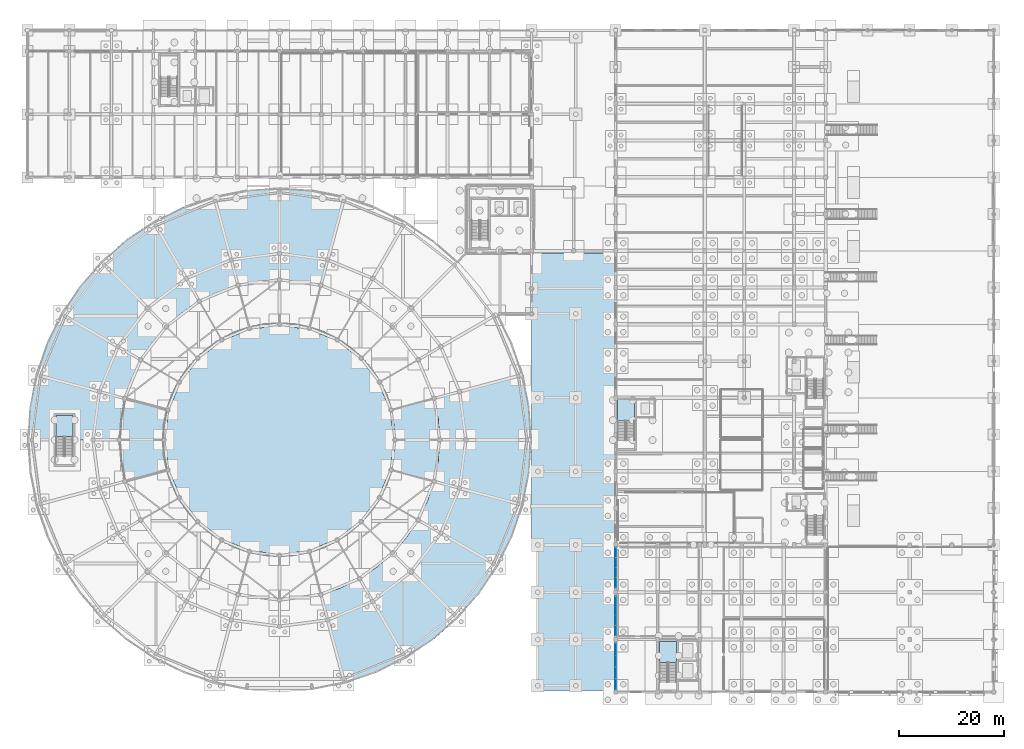
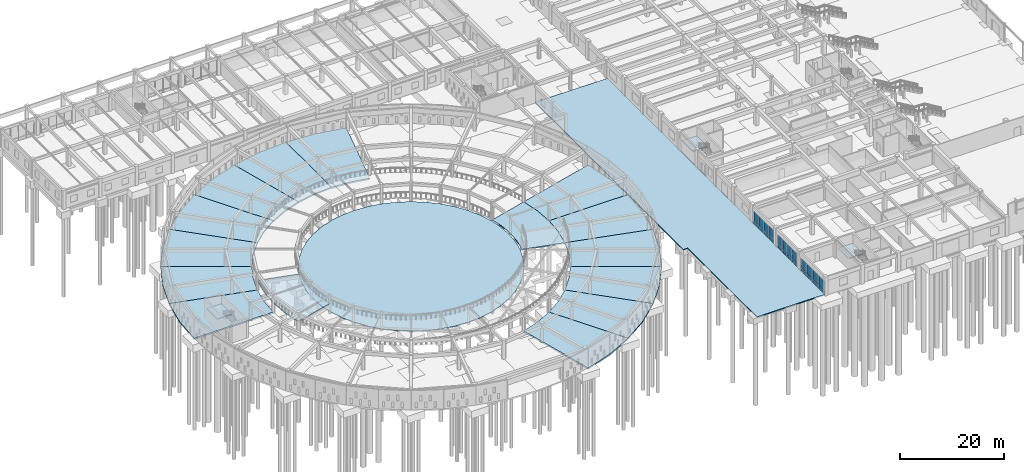
# One storey, part 37 of 84: 24 plates, 20 slabs, 6 elements without a shape of their own.
"""IFC4 building model written with IfcOpenShell, lengths in metres."""

from ifc_helpers import new_model, si_unit, direction, frame, origin, origin_2d, place, context, subcontext, project, spatial, polyline, rectangle, outline, extrude, material, layer, layer_set, type_object, element, aggregate, save


model = new_model("IFC4")

# Units and contexts
model_context = context("Model", 3, precision=1e-05, world=origin(), true_north=direction((0.0, 1.0)))
body_context = subcontext(model_context, "Body", "Model", "MODEL_VIEW")
ifc_project = project(units=[si_unit("LENGTHUNIT", "METRE"), si_unit("AREAUNIT", "SQUARE_METRE"), si_unit("VOLUMEUNIT", "CUBIC_METRE"), si_unit("PLANEANGLEUNIT", "RADIAN"), si_unit("MASSUNIT", "GRAM", prefix="KILO")], contexts=[model_context])

# Site, building, storey
site_placement = place(None, origin())
site = spatial("IfcSite", under=ifc_project, at=site_placement, CompositionType="ELEMENT")
building_placement = place(site_placement, origin())
building = spatial("IfcBuilding", under=site, at=building_placement, Name="Larkveld Mobility Hub", CompositionType="ELEMENT")
storey_placement = place(building_placement, origin())
storey = spatial("IfcBuildingStorey", under=building, at=storey_placement, Name="L00", CompositionType="ELEMENT", Elevation=0.0)

# Curtain wall, plates
ifc_material_1 = material(Name="Anodised aluminium 6063-T6", Category="aluminium")
curtain_wall_type_1 = type_object("IfcCurtainWallType", Name="CW-SYS-07", PredefinedType="NOTDEFINED", material=ifc_material_1)
curtain_wall_1_placement = place(storey_placement, origin())
curtain_wall_1 = element("IfcCurtainWall", 1, at=curtain_wall_1_placement, inside=storey, type_object=curtain_wall_type_1, Name="Public Passage East Service Facade L00 CW-091", PredefinedType="NOTDEFINED")
ifc_material_2 = material(Name="Low-E laminated solar-control double glazing", Category="glass")
ifc_layer_1 = layer(ifc_material_2, 0.028076171875, Name="Low-E laminated solar-control double glazing", Category="glass")
ifc_layer_set_1 = layer_set([ifc_layer_1], Name="Low-E laminated solar-control double glazing")
plate_type_1 = type_object("IfcPlateType", Name="CW-PNL-GL01", PredefinedType="CURTAIN_PANEL", material=ifc_layer_set_1)
plate_1_placement = place(storey_placement, frame((112.0, 26.56201171875, 0.75), z_axis=(0.0, 0.0, 1.0), x_axis=(0.0, -1.0, 0.0)))
plate_1 = element("IfcPlate", 2, at=plate_1_placement, type_object=plate_type_1, Name="CW07 panel 1", PredefinedType="CURTAIN_PANEL", context=body_context, shape_type="SweptSolid", body=[
    extrude(rectangle(XDim=1.905029296875, YDim=0.028076171875, at=origin_2d()), origin(), (0.0, 0.0, 1.0), 2.327880859375),
])
plate_2_placement = place(storey_placement, frame((112.0, 24.636962890625, 0.75), z_axis=(0.0, 0.0, 1.0), x_axis=(0.0, -1.0, 0.0)))
plate_2 = element("IfcPlate", 3, at=plate_2_placement, type_object=plate_type_1, Name="CW07 panel 2", PredefinedType="CURTAIN_PANEL", context=body_context, shape_type="SweptSolid", body=[
    extrude(rectangle(XDim=1.925048828125, YDim=0.028076171875, at=origin_2d()), origin(), (0.0, 0.0, 1.0), 2.327880859375),
])
plate_3_placement = place(storey_placement, frame((112.0, 22.702880859375, 0.75), z_axis=(0.0, 0.0, 1.0), x_axis=(0.0, -1.0, 0.0)))
plate_3 = element("IfcPlate", 4, at=plate_3_placement, type_object=plate_type_1, Name="CW07 panel 3", PredefinedType="CURTAIN_PANEL", context=body_context, shape_type="SweptSolid", body=[
    extrude(rectangle(XDim=1.925048828125, YDim=0.028076171875, at=origin_2d()), origin(), (0.0, 0.0, 1.0), 2.327880859375),
])
plate_4_placement = place(storey_placement, frame((112.0, 20.777099609375, 0.75), z_axis=(0.0, 0.0, 1.0), x_axis=(0.0, -1.0, 0.0)))
plate_4 = element("IfcPlate", 5, at=plate_4_placement, type_object=plate_type_1, Name="CW07 panel 4", PredefinedType="CURTAIN_PANEL", context=body_context, shape_type="SweptSolid", body=[
    extrude(rectangle(XDim=1.905029296875, YDim=0.028076171875, at=origin_2d()), origin(), (0.0, 0.0, 1.0), 2.327880859375),
])

curtain_wall_type_2 = type_object("IfcCurtainWallType", Name="CW-SYS-08", PredefinedType="NOTDEFINED", material=ifc_material_1)
curtain_wall_2_placement = place(storey_placement, origin())
curtain_wall_2 = element("IfcCurtainWall", 6, at=curtain_wall_2_placement, inside=storey, type_object=curtain_wall_type_2, Name="Public Passage East Service Facade L00 CW-092", PredefinedType="NOTDEFINED")
ifc_material_3 = material(Name="Acoustic solar-control laminated double glazing", Category="glass")
ifc_layer_2 = layer(ifc_material_3, 0.031982421875, Name="Acoustic solar-control laminated double glazing", Category="glass")
ifc_layer_set_2 = layer_set([ifc_layer_2], Name="Acoustic solar-control laminated double glazing")
plate_type_2 = type_object("IfcPlateType", Name="CW-PNL-GL02", PredefinedType="CURTAIN_PANEL", material=ifc_layer_set_2)
plate_5_placement = place(storey_placement, frame((112.0, 17.264892578125, 0.75), z_axis=(0.0, 0.0, 1.0), x_axis=(0.0, -1.0, 0.0)))
plate_5 = element("IfcPlate", 7, at=plate_5_placement, type_object=plate_type_2, Name="CW08 panel 1", PredefinedType="CURTAIN_PANEL", context=body_context, shape_type="SweptSolid", body=[
    extrude(rectangle(XDim=1.820068359375, YDim=0.031982421875, at=origin_2d()), origin(), (0.0, 0.0, 1.0), 2.327880859375),
])
plate_6_placement = place(storey_placement, frame((112.0, 15.425048828125, 0.75), z_axis=(0.0, 0.0, 1.0), x_axis=(0.0, -1.0, 0.0)))
plate_6 = element("IfcPlate", 8, at=plate_6_placement, type_object=plate_type_2, Name="CW08 panel 2", PredefinedType="CURTAIN_PANEL", context=body_context, shape_type="SweptSolid", body=[
    extrude(rectangle(XDim=1.840087890625, YDim=0.031982421875, at=origin_2d()), origin(), (0.0, 0.0, 1.0), 2.327880859375),
])
plate_7_placement = place(storey_placement, frame((112.0, 13.574951171875, 0.75), z_axis=(0.0, 0.0, 1.0), x_axis=(0.0, -1.0, 0.0)))
plate_7 = element("IfcPlate", 9, at=plate_7_placement, type_object=plate_type_2, Name="CW08 panel 3", PredefinedType="CURTAIN_PANEL", context=body_context, shape_type="SweptSolid", body=[
    extrude(rectangle(XDim=1.840087890625, YDim=0.031982421875, at=origin_2d()), origin(), (0.0, 0.0, 1.0), 2.327880859375),
])
plate_8_placement = place(storey_placement, frame((112.0, 11.735107421875, 0.75), z_axis=(0.0, 0.0, 1.0), x_axis=(0.0, -1.0, 0.0)))
plate_8 = element("IfcPlate", 10, at=plate_8_placement, type_object=plate_type_2, Name="CW08 panel 4", PredefinedType="CURTAIN_PANEL", context=body_context, shape_type="SweptSolid", body=[
    extrude(rectangle(XDim=1.820068359375, YDim=0.031982421875, at=origin_2d()), origin(), (0.0, 0.0, 1.0), 2.327880859375),
])

curtain_wall_type_3 = type_object("IfcCurtainWallType", Name="CW-SYS-09", PredefinedType="NOTDEFINED", material=ifc_material_1)
curtain_wall_3_placement = place(storey_placement, origin())
curtain_wall_3 = element("IfcCurtainWall", 11, at=curtain_wall_3_placement, inside=storey, type_object=curtain_wall_type_3, Name="Public Passage East Service Facade L00 CW-093", PredefinedType="NOTDEFINED")
ifc_material_4 = material(Name="Tinted safety double glazing", Category="glass")
ifc_layer_3 = layer(ifc_material_4, 0.035888671875, Name="Tinted safety double glazing", Category="glass")
ifc_layer_set_3 = layer_set([ifc_layer_3], Name="Tinted safety double glazing")
plate_type_3 = type_object("IfcPlateType", Name="CW-PNL-GL03", PredefinedType="CURTAIN_PANEL", material=ifc_layer_set_3)
plate_9_placement = place(storey_placement, frame((112.0, 8.0849609375, 0.75), z_axis=(0.0, 0.0, 1.0), x_axis=(0.0, -1.0, 0.0)))
plate_9 = element("IfcPlate", 12, at=plate_9_placement, type_object=plate_type_3, Name="CW09 panel 1", PredefinedType="CURTAIN_PANEL", context=body_context, shape_type="SweptSolid", body=[
    extrude(rectangle(XDim=2.179931640625, YDim=0.035888671875, at=origin_2d()), origin(), (0.0, 0.0, 1.0), 2.327880859375),
])
plate_10_placement = place(storey_placement, frame((112.0, 5.885009765625, 0.75), z_axis=(0.0, 0.0, 1.0), x_axis=(0.0, -1.0, 0.0)))
plate_10 = element("IfcPlate", 13, at=plate_10_placement, type_object=plate_type_3, Name="CW09 panel 2", PredefinedType="CURTAIN_PANEL", context=body_context, shape_type="SweptSolid", body=[
    extrude(rectangle(XDim=2.199951171875, YDim=0.035888671875, at=origin_2d()), origin(), (0.0, 0.0, 1.0), 2.327880859375),
])
plate_11_placement = place(storey_placement, frame((112.0, 3.675048828125, 0.75), z_axis=(0.0, 0.0, 1.0), x_axis=(0.0, -1.0, 0.0)))
plate_11 = element("IfcPlate", 14, at=plate_11_placement, type_object=plate_type_3, Name="CW09 panel 3", PredefinedType="CURTAIN_PANEL", context=body_context, shape_type="SweptSolid", body=[
    extrude(rectangle(XDim=2.199951171875, YDim=0.035888671875, at=origin_2d()), origin(), (0.0, 0.0, 1.0), 2.327880859375),
])
plate_12_placement = place(storey_placement, frame((112.0, 1.47509765625, 0.75), z_axis=(0.0, 0.0, 1.0), x_axis=(0.0, -1.0, 0.0)))
plate_12 = element("IfcPlate", 15, at=plate_12_placement, type_object=plate_type_3, Name="CW09 panel 4", PredefinedType="CURTAIN_PANEL", context=body_context, shape_type="SweptSolid", body=[
    extrude(rectangle(XDim=2.179931640625, YDim=0.035888671875, at=origin_2d()), origin(), (0.0, 0.0, 1.0), 2.327880859375),
])

# Plate
ifc_material_5 = material(Name="Insulated fluoropolymer aluminium spandrel", Category="aluminium")
ifc_layer_4 = layer(ifc_material_5, 0.06494140625, Name="Insulated fluoropolymer aluminium spandrel", Category="aluminium")
ifc_layer_set_4 = layer_set([ifc_layer_4], Name="Insulated fluoropolymer aluminium spandrel")
plate_type_4 = type_object("IfcPlateType", Name="CW-PNL-SP01", PredefinedType="CURTAIN_PANEL", material=ifc_layer_set_4)
plate_13_placement = place(storey_placement, frame((112.0, 26.56201171875, 0.0), z_axis=(0.0, 0.0, 1.0), x_axis=(0.0, -1.0, 0.0)))
plate_13 = element("IfcPlate", 16, at=plate_13_placement, type_object=plate_type_4, Name="CW07 spandrel 1", PredefinedType="CURTAIN_PANEL", context=body_context, shape_type="SweptSolid", body=[
    extrude(rectangle(XDim=1.905029296875, YDim=0.06494140625, at=origin_2d()), origin(), (0.0, 0.0, 1.0), 0.738037109375),
])

plate_14_placement = place(storey_placement, frame((112.0, 24.636962890625, 0.0), z_axis=(0.0, 0.0, 1.0), x_axis=(0.0, -1.0, 0.0)))
plate_14 = element("IfcPlate", 17, at=plate_14_placement, type_object=plate_type_4, Name="CW07 spandrel 2", PredefinedType="CURTAIN_PANEL", context=body_context, shape_type="SweptSolid", body=[
    extrude(rectangle(XDim=1.925048828125, YDim=0.06494140625, at=origin_2d()), origin(), (0.0, 0.0, 1.0), 0.738037109375),
])

plate_15_placement = place(storey_placement, frame((112.0, 22.702880859375, 0.0), z_axis=(0.0, 0.0, 1.0), x_axis=(0.0, -1.0, 0.0)))
plate_15 = element("IfcPlate", 18, at=plate_15_placement, type_object=plate_type_4, Name="CW07 spandrel 3", PredefinedType="CURTAIN_PANEL", context=body_context, shape_type="SweptSolid", body=[
    extrude(rectangle(XDim=1.925048828125, YDim=0.06494140625, at=origin_2d()), origin(), (0.0, 0.0, 1.0), 0.738037109375),
])

plate_16_placement = place(storey_placement, frame((112.0, 20.777099609375, 0.0), z_axis=(0.0, 0.0, 1.0), x_axis=(0.0, -1.0, 0.0)))
plate_16 = element("IfcPlate", 19, at=plate_16_placement, type_object=plate_type_4, Name="CW07 spandrel 4", PredefinedType="CURTAIN_PANEL", context=body_context, shape_type="SweptSolid", body=[
    extrude(rectangle(XDim=1.905029296875, YDim=0.06494140625, at=origin_2d()), origin(), (0.0, 0.0, 1.0), 0.738037109375),
])

aggregate(curtain_wall_1, [plate_13, plate_1, plate_14, plate_2, plate_15, plate_3, plate_16, plate_4])

plate_17_placement = place(storey_placement, frame((112.0, 8.0849609375, 0.0), z_axis=(0.0, 0.0, 1.0), x_axis=(0.0, -1.0, 0.0)))
plate_17 = element("IfcPlate", 20, at=plate_17_placement, type_object=plate_type_4, Name="CW09 spandrel 1", PredefinedType="CURTAIN_PANEL", context=body_context, shape_type="SweptSolid", body=[
    extrude(rectangle(XDim=2.179931640625, YDim=0.06494140625, at=origin_2d()), origin(), (0.0, 0.0, 1.0), 0.738037109375),
])

plate_18_placement = place(storey_placement, frame((112.0, 5.885009765625, 0.0), z_axis=(0.0, 0.0, 1.0), x_axis=(0.0, -1.0, 0.0)))
plate_18 = element("IfcPlate", 21, at=plate_18_placement, type_object=plate_type_4, Name="CW09 spandrel 2", PredefinedType="CURTAIN_PANEL", context=body_context, shape_type="SweptSolid", body=[
    extrude(rectangle(XDim=2.199951171875, YDim=0.06494140625, at=origin_2d()), origin(), (0.0, 0.0, 1.0), 0.738037109375),
])

plate_19_placement = place(storey_placement, frame((112.0, 3.675048828125, 0.0), z_axis=(0.0, 0.0, 1.0), x_axis=(0.0, -1.0, 0.0)))
plate_19 = element("IfcPlate", 22, at=plate_19_placement, type_object=plate_type_4, Name="CW09 spandrel 3", PredefinedType="CURTAIN_PANEL", context=body_context, shape_type="SweptSolid", body=[
    extrude(rectangle(XDim=2.199951171875, YDim=0.06494140625, at=origin_2d()), origin(), (0.0, 0.0, 1.0), 0.738037109375),
])

plate_20_placement = place(storey_placement, frame((112.0, 1.47509765625, 0.0), z_axis=(0.0, 0.0, 1.0), x_axis=(0.0, -1.0, 0.0)))
plate_20 = element("IfcPlate", 23, at=plate_20_placement, type_object=plate_type_4, Name="CW09 spandrel 4", PredefinedType="CURTAIN_PANEL", context=body_context, shape_type="SweptSolid", body=[
    extrude(rectangle(XDim=2.179931640625, YDim=0.06494140625, at=origin_2d()), origin(), (0.0, 0.0, 1.0), 0.738037109375),
])

aggregate(curtain_wall_3, [plate_17, plate_9, plate_18, plate_10, plate_19, plate_11, plate_20, plate_12])

ifc_material_6 = material(Name="Insulated terracotta-toned aluminium spandrel", Category="masonry")
ifc_layer_5 = layer(ifc_material_6, 0.080078125, Name="Insulated terracotta-toned aluminium spandrel", Category="masonry")
ifc_layer_set_5 = layer_set([ifc_layer_5], Name="Insulated terracotta-toned aluminium spandrel")
plate_type_5 = type_object("IfcPlateType", Name="CW-PNL-SP02", PredefinedType="CURTAIN_PANEL", material=ifc_layer_set_5)
plate_21_placement = place(storey_placement, frame((112.0, 17.264892578125, 0.0), z_axis=(0.0, 0.0, 1.0), x_axis=(0.0, -1.0, 0.0)))
plate_21 = element("IfcPlate", 24, at=plate_21_placement, type_object=plate_type_5, Name="CW08 spandrel 1", PredefinedType="CURTAIN_PANEL", context=body_context, shape_type="SweptSolid", body=[
    extrude(rectangle(XDim=1.820068359375, YDim=0.080078125, at=origin_2d()), origin(), (0.0, 0.0, 1.0), 0.738037109375),
])

plate_22_placement = place(storey_placement, frame((112.0, 15.425048828125, 0.0), z_axis=(0.0, 0.0, 1.0), x_axis=(0.0, -1.0, 0.0)))
plate_22 = element("IfcPlate", 25, at=plate_22_placement, type_object=plate_type_5, Name="CW08 spandrel 2", PredefinedType="CURTAIN_PANEL", context=body_context, shape_type="SweptSolid", body=[
    extrude(rectangle(XDim=1.840087890625, YDim=0.080078125, at=origin_2d()), origin(), (0.0, 0.0, 1.0), 0.738037109375),
])

plate_23_placement = place(storey_placement, frame((112.0, 13.574951171875, 0.0), z_axis=(0.0, 0.0, 1.0), x_axis=(0.0, -1.0, 0.0)))
plate_23 = element("IfcPlate", 26, at=plate_23_placement, type_object=plate_type_5, Name="CW08 spandrel 3", PredefinedType="CURTAIN_PANEL", context=body_context, shape_type="SweptSolid", body=[
    extrude(rectangle(XDim=1.840087890625, YDim=0.080078125, at=origin_2d()), origin(), (0.0, 0.0, 1.0), 0.738037109375),
])

plate_24_placement = place(storey_placement, frame((112.0, 11.735107421875, 0.0), z_axis=(0.0, 0.0, 1.0), x_axis=(0.0, -1.0, 0.0)))
plate_24 = element("IfcPlate", 27, at=plate_24_placement, type_object=plate_type_5, Name="CW08 spandrel 4", PredefinedType="CURTAIN_PANEL", context=body_context, shape_type="SweptSolid", body=[
    extrude(rectangle(XDim=1.820068359375, YDim=0.080078125, at=origin_2d()), origin(), (0.0, 0.0, 1.0), 0.738037109375),
])

aggregate(curtain_wall_2, [plate_21, plate_5, plate_22, plate_6, plate_23, plate_7, plate_24, plate_8])

# Slabs
ifc_material_7 = material(Name="Concrete C40/50", Category="concrete")
ifc_layer_6 = layer(ifc_material_7, 0.27490234375, Name="Concrete C40/50", Category="concrete")
ifc_layer_set_6 = layer_set([ifc_layer_6], Name="Concrete C40/50")
slab_type_1 = type_object("IfcSlabType", Name="SL-BS-275", PredefinedType="BASESLAB", material=ifc_layer_set_6)
slab_1_placement = place(storey_placement, frame((0.0, 0.0, -0.27490234375)))
element("IfcSlab", 28, at=slab_1_placement, inside=storey, type_object=slab_type_1, Name="Drum Parking Deck Slab L00-006", PredefinedType="BASESLAB", context=body_context, shape_type="SweptSolid", body=[
    extrude(outline(polyline([(96.0, 48.0), (95.589111328125, 54.264892578125), (94.364013671875, 60.423095703125), (77.4609375, 55.89404296875), (78.239013671875, 51.98095703125), (78.5, 48.0), (96.0, 48.0)])), origin(), (0.0, 0.0, 1.0), 0.27490234375),
])
slab_2_placement = place(storey_placement, frame((0.0, 0.0, -0.27490234375)))
element("IfcSlab", 29, at=slab_2_placement, inside=storey, type_object=slab_type_1, Name="Drum Parking Deck Slab L00-012", PredefinedType="BASESLAB", context=body_context, shape_type="SweptSolid", body=[
    extrude(outline(polyline([(48.0, 96.0), (41.735107421875, 95.589111328125), (35.576904296875, 94.364013671875), (40.10595703125, 77.4609375), (44.01904296875, 78.239013671875), (48.0, 78.5), (48.0, 96.0)])), origin(), (0.0, 0.0, 1.0), 0.27490234375),
])
slab_3_placement = place(storey_placement, frame((0.0, 0.0, -0.27490234375)))
element("IfcSlab", 30, at=slab_3_placement, inside=storey, type_object=slab_type_1, Name="Drum Parking Deck Slab L00-014", PredefinedType="BASESLAB", context=body_context, shape_type="SweptSolid", body=[
    extrude(outline(polyline([(24.0, 89.569091796875), (18.779052734375, 86.0810546875), (14.05908203125, 81.94091796875), (26.43310546875, 69.56689453125), (29.43310546875, 72.197021484375), (32.75, 74.4140625), (24.0, 89.569091796875)])), origin(), (0.0, 0.0, 1.0), 0.27490234375),
])
slab_4_placement = place(storey_placement, frame((0.0, 0.0, -0.27490234375)))
element("IfcSlab", 31, at=slab_4_placement, inside=storey, type_object=slab_type_1, Name="Drum Parking Deck Slab L00-016", PredefinedType="BASESLAB", context=body_context, shape_type="SweptSolid", body=[
    extrude(outline(polyline([(6.430908203125, 72.0), (3.654052734375, 66.368896484375), (1.635986328125, 60.423095703125), (18.5390625, 55.89404296875), (19.822021484375, 59.672119140625), (21.5859375, 63.25), (6.430908203125, 72.0)])), origin(), (0.0, 0.0, 1.0), 0.27490234375),
])
slab_5_placement = place(storey_placement, frame((0.0, 0.0, -0.27490234375)))
element("IfcSlab", 32, at=slab_5_placement, inside=storey, type_object=slab_type_1, Name="Drum Parking Deck Slab L00-026", PredefinedType="BASESLAB", context=body_context, shape_type="SweptSolid", body=[
    extrude(outline(polyline([(72.0, 6.430908203125), (77.220947265625, 9.9189453125), (81.94091796875, 14.05908203125), (69.56689453125, 26.43310546875), (66.56689453125, 23.802978515625), (63.25, 21.5859375), (72.0, 6.430908203125)])), origin(), (0.0, 0.0, 1.0), 0.27490234375),
])
slab_6_placement = place(storey_placement, frame((0.0, 0.0, -0.27490234375)))
element("IfcSlab", 33, at=slab_6_placement, inside=storey, type_object=slab_type_1, Name="Drum Parking Deck Slab L00-028", PredefinedType="BASESLAB", context=body_context, shape_type="SweptSolid", body=[
    extrude(outline(polyline([(89.569091796875, 24.0), (92.345947265625, 29.631103515625), (94.364013671875, 35.576904296875), (77.4609375, 40.10595703125), (76.177978515625, 36.327880859375), (74.4140625, 32.75), (89.569091796875, 24.0)])), origin(), (0.0, 0.0, 1.0), 0.27490234375),
])
ifc_layer_7 = layer(ifc_material_7, 0.35009765625, Name="Concrete C40/50", Category="concrete")
ifc_layer_set_7 = layer_set([ifc_layer_7], Name="Concrete C40/50")
slab_type_2 = type_object("IfcSlabType", Name="SL-BS-350", PredefinedType="BASESLAB", material=ifc_layer_set_7)
slab_7_placement = place(storey_placement, frame((0.0, 0.0, -0.35009765625)))
element("IfcSlab", 34, at=slab_7_placement, inside=storey, type_object=slab_type_2, Name="Drum Parking Deck Slab L00-011", PredefinedType="BASESLAB", context=body_context, shape_type="SweptSolid", body=[
    extrude(outline(polyline([(60.423095703125, 94.364013671875), (54.264892578125, 95.589111328125), (48.0, 96.0), (48.0, 78.5), (51.98095703125, 78.239013671875), (55.89404296875, 77.4609375), (60.423095703125, 94.364013671875)])), origin(), (0.0, 0.0, 1.0), 0.35009765625),
])
slab_8_placement = place(storey_placement, frame((0.0, 0.0, -0.35009765625)))
element("IfcSlab", 35, at=slab_8_placement, inside=storey, type_object=slab_type_2, Name="Drum Parking Deck Slab L00-013", PredefinedType="BASESLAB", context=body_context, shape_type="SweptSolid", body=[
    extrude(outline(polyline([(35.576904296875, 94.364013671875), (29.631103515625, 92.345947265625), (24.0, 89.569091796875), (32.75, 74.4140625), (36.327880859375, 76.177978515625), (40.10595703125, 77.4609375), (35.576904296875, 94.364013671875)])), origin(), (0.0, 0.0, 1.0), 0.35009765625),
])
slab_9_placement = place(storey_placement, frame((0.0, 0.0, -0.35009765625)))
element("IfcSlab", 36, at=slab_9_placement, inside=storey, type_object=slab_type_2, Name="Drum Parking Deck Slab L00-015", PredefinedType="BASESLAB", context=body_context, shape_type="SweptSolid", body=[
    extrude(outline(polyline([(14.05908203125, 81.94091796875), (9.9189453125, 77.220947265625), (6.430908203125, 72.0), (21.5859375, 63.25), (23.802978515625, 66.56689453125), (26.43310546875, 69.56689453125), (14.05908203125, 81.94091796875)])), origin(), (0.0, 0.0, 1.0), 0.35009765625),
])
slab_10_placement = place(storey_placement, frame((0.0, 0.0, -0.35009765625)))
element("IfcSlab", 37, at=slab_10_placement, inside=storey, type_object=slab_type_2, Name="Drum Parking Deck Slab L00-017", PredefinedType="BASESLAB", context=body_context, shape_type="SweptSolid", body=[
    extrude(outline(polyline([(1.635986328125, 60.423095703125), (0.410888671875, 54.264892578125), (0.0, 48.0), (17.5, 48.0), (17.760986328125, 51.98095703125), (18.5390625, 55.89404296875), (1.635986328125, 60.423095703125)])), origin(), (0.0, 0.0, 1.0), 0.35009765625),
])
slab_11_placement = place(storey_placement, frame((0.0, 0.0, -0.35009765625)))
element("IfcSlab", 38, at=slab_11_placement, inside=storey, type_object=slab_type_2, Name="Drum Parking Deck Slab L00-025", PredefinedType="BASESLAB", context=body_context, shape_type="SweptSolid", body=[
    extrude(outline(polyline([(60.423095703125, 1.635986328125), (66.368896484375, 3.654052734375), (72.0, 6.430908203125), (63.25, 21.5859375), (59.672119140625, 19.822021484375), (55.89404296875, 18.5390625), (60.423095703125, 1.635986328125)])), origin(), (0.0, 0.0, 1.0), 0.35009765625),
])
slab_12_placement = place(storey_placement, frame((0.0, 0.0, -0.35009765625)))
element("IfcSlab", 39, at=slab_12_placement, inside=storey, type_object=slab_type_2, Name="Drum Parking Deck Slab L00-027", PredefinedType="BASESLAB", context=body_context, shape_type="SweptSolid", body=[
    extrude(outline(polyline([(81.94091796875, 14.05908203125), (86.0810546875, 18.779052734375), (89.569091796875, 24.0), (74.4140625, 32.75), (72.197021484375, 29.43310546875), (69.56689453125, 26.43310546875), (81.94091796875, 14.05908203125)])), origin(), (0.0, 0.0, 1.0), 0.35009765625),
])
slab_13_placement = place(storey_placement, frame((0.0, 0.0, -0.35009765625)))
element("IfcSlab", 40, at=slab_13_placement, inside=storey, type_object=slab_type_2, Name="Drum Parking Deck Slab L00-029", PredefinedType="BASESLAB", context=body_context, shape_type="SweptSolid", body=[
    extrude(outline(polyline([(94.364013671875, 35.576904296875), (95.589111328125, 41.735107421875), (96.0, 48.0), (78.5, 48.0), (78.239013671875, 44.01904296875), (77.4609375, 40.10595703125), (94.364013671875, 35.576904296875)])), origin(), (0.0, 0.0, 1.0), 0.35009765625),
])
ifc_layer_8 = layer(ifc_material_7, 0.260009765625, Name="Concrete C40/50", Category="concrete")
ifc_layer_set_8 = layer_set([ifc_layer_8], Name="Concrete C40/50")
slab_type_3 = type_object("IfcSlabType", Name="SL-CON-260", PredefinedType="FLOOR", material=ifc_layer_set_8)
slab_14_placement = place(storey_placement, frame((0.0, 0.0, -0.260009765625)))
element("IfcSlab", 41, at=slab_14_placement, inside=storey, type_object=slab_type_3, Name="Helical Ramp Throat Landing L00 East L00-156", PredefinedType="FLOOR", context=body_context, shape_type="SweptSolid", body=[
    extrude(outline(polyline([(77.4609375, 40.10595703125), (78.239013671875, 44.01904296875), (78.5, 48.0), (78.239013671875, 51.98095703125), (77.4609375, 55.89404296875), (69.25, 53.694091796875), (69.81201171875, 50.8720703125), (70.0, 48.0), (69.81201171875, 45.1279296875), (69.25, 42.305908203125), (77.4609375, 40.10595703125)])), origin(), (0.0, 0.0, 1.0), 0.260009765625),
])
slab_15_placement = place(storey_placement, frame((0.0, 0.0, 1.989990234375)))
element("IfcSlab", 42, at=slab_15_placement, inside=storey, type_object=slab_type_3, Name="Helical Ramp Mid Landing L00 West L00-157", PredefinedType="FLOOR", context=body_context, shape_type="SweptSolid", body=[
    extrude(outline(polyline([(18.5390625, 55.89404296875), (17.760986328125, 51.98095703125), (17.5, 48.0), (17.760986328125, 44.01904296875), (18.5390625, 40.10595703125), (26.75, 42.305908203125), (26.18798828125, 45.1279296875), (26.0, 48.0), (26.18798828125, 50.8720703125), (26.75, 53.694091796875), (18.5390625, 55.89404296875)])), origin(), (0.0, 0.0, 1.0), 0.260009765625),
])

# Stair, slab
stair_type_1 = type_object("IfcStairType", Name="ST-HT-03", PredefinedType="HALF_TURN_STAIR", material=ifc_material_7)
stair_1_placement = place(storey_placement, origin())
stair_1 = element("IfcStair", 43, at=stair_1_placement, inside=storey, type_object=stair_type_1, Name="L00 Protected Escape Stair ST3", PredefinedType="HALF_TURN_STAIR")
ifc_layer_9 = layer(ifc_material_7, 0.195068359375, Name="Concrete C40/50", Category="concrete")
ifc_layer_set_9 = layer_set([ifc_layer_9], Name="Concrete C40/50")
slab_type_4 = type_object("IfcSlabType", Name="SL-LND-03", PredefinedType="LANDING", material=ifc_layer_set_9)
slab_16_placement = place(storey_placement, frame((0.0, 0.0, 2.054931640625)))
slab_16 = element("IfcSlab", 44, at=slab_16_placement, type_object=slab_type_4, Name="ST3 landing 1", PredefinedType="LANDING", context=body_context, shape_type="SweptSolid", body=[
    extrude(outline(polyline([(115.639892578125, 51.625), (115.639892578125, 55.64990234375), (112.35009765625, 55.64990234375), (112.35009765625, 51.625), (115.639892578125, 51.625)])), origin(), (0.0, 0.0, 1.0), 0.195068359375),
])
aggregate(stair_1, [slab_16])

stair_type_2 = type_object("IfcStairType", Name="ST-HT-04", PredefinedType="HALF_TURN_STAIR", material=ifc_material_7)
stair_2_placement = place(storey_placement, origin())
stair_2 = element("IfcStair", 45, at=stair_2_placement, inside=storey, type_object=stair_type_2, Name="L00 Protected Escape Stair ST4", PredefinedType="HALF_TURN_STAIR")
ifc_layer_10 = layer(ifc_material_7, 0.205078125, Name="Concrete C40/50", Category="concrete")
ifc_layer_set_10 = layer_set([ifc_layer_10], Name="Concrete C40/50")
slab_type_5 = type_object("IfcSlabType", Name="SL-LND-04", PredefinedType="LANDING", material=ifc_layer_set_10)
slab_17_placement = place(storey_placement, frame((0.0, 0.0, 2.044921875)))
slab_17 = element("IfcSlab", 46, at=slab_17_placement, type_object=slab_type_5, Name="ST4 landing 1", PredefinedType="LANDING", context=body_context, shape_type="SweptSolid", body=[
    extrude(outline(polyline([(123.60009765625, 5.60498046875), (123.60009765625, 9.64990234375), (120.35009765625, 9.64990234375), (120.35009765625, 5.60498046875), (123.60009765625, 5.60498046875)])), origin(), (0.0, 0.0, 1.0), 0.205078125),
])
aggregate(stair_2, [slab_17])

stair_type_3 = type_object("IfcStairType", Name="ST-HT-07", PredefinedType="HALF_TURN_STAIR", material=ifc_material_7)
stair_3_placement = place(storey_placement, origin())
stair_3 = element("IfcStair", 47, at=stair_3_placement, inside=storey, type_object=stair_type_3, Name="L00 Protected Escape Stair ST7", PredefinedType="HALF_TURN_STAIR")
ifc_layer_11 = layer(ifc_material_7, 0.235107421875, Name="Concrete C40/50", Category="concrete")
ifc_layer_set_11 = layer_set([ifc_layer_11], Name="Concrete C40/50")
slab_type_6 = type_object("IfcSlabType", Name="SL-LND-07", PredefinedType="LANDING", material=ifc_layer_set_11)
slab_18_placement = place(storey_placement, frame((0.0, 0.0, 2.014892578125)))
slab_18 = element("IfcSlab", 48, at=slab_18_placement, type_object=slab_type_6, Name="ST7 landing 1", PredefinedType="LANDING", context=body_context, shape_type="SweptSolid", body=[
    extrude(outline(polyline([(8.699951171875, 48.60498046875), (8.699951171875, 52.64990234375), (5.449951171875, 52.64990234375), (5.449951171875, 48.60498046875), (8.699951171875, 48.60498046875)])), origin(), (0.0, 0.0, 1.0), 0.235107421875),
])
aggregate(stair_3, [slab_18])

# Slabs
ifc_material_8 = material(Name="Precast concrete C40/50", Category="concrete")
ifc_layer_12 = layer(ifc_material_8, 0.175048828125, Name="Precast concrete C40/50", Category="concrete")
ifc_layer_set_12 = layer_set([ifc_layer_12], Name="Precast concrete C40/50")
slab_type_7 = type_object("IfcSlabType", Name="SL-PAV-175", PredefinedType="USERDEFINED", material=ifc_layer_set_12)
slab_19_placement = place(storey_placement, frame((0.0, 0.0, -0.175048828125)))
element("IfcSlab", 49, at=slab_19_placement, inside=storey, type_object=slab_type_7, Name="Central Subtropical Light Court Paving L00-001", ObjectType="PAVING", PredefinedType="USERDEFINED", context=body_context, shape_type="SweptSolid", body=[
    extrude(outline(polyline([(69.64990234375, 48.0), (69.465087890625, 50.825927734375), (68.912109375, 53.60302734375), (68.001953125, 56.284912109375), (66.7490234375, 58.824951171875), (65.176025390625, 61.179931640625), (63.30908203125, 63.30908203125), (61.179931640625, 65.176025390625), (58.824951171875, 66.7490234375), (56.284912109375, 68.001953125), (53.60302734375, 68.912109375), (50.825927734375, 69.465087890625), (48.0, 69.64990234375), (45.174072265625, 69.465087890625), (42.39697265625, 68.912109375), (39.715087890625, 68.001953125), (37.175048828125, 66.7490234375), (34.820068359375, 65.176025390625), (32.69091796875, 63.30908203125), (30.823974609375, 61.179931640625), (29.2509765625, 58.824951171875), (27.998046875, 56.284912109375), (27.087890625, 53.60302734375), (26.534912109375, 50.825927734375), (26.35009765625, 48.0), (26.534912109375, 45.174072265625), (27.087890625, 42.39697265625), (27.998046875, 39.715087890625), (29.2509765625, 37.175048828125), (30.823974609375, 34.820068359375), (32.69091796875, 32.69091796875), (34.820068359375, 30.823974609375), (37.175048828125, 29.2509765625), (39.715087890625, 27.998046875), (42.39697265625, 27.087890625), (45.174072265625, 26.534912109375), (48.0, 26.35009765625), (50.825927734375, 26.534912109375), (53.60302734375, 27.087890625), (56.284912109375, 27.998046875), (58.824951171875, 29.2509765625), (61.179931640625, 30.823974609375), (63.30908203125, 32.69091796875), (65.176025390625, 34.820068359375), (66.7490234375, 37.175048828125), (68.001953125, 39.715087890625), (68.912109375, 42.39697265625), (69.465087890625, 45.174072265625), (69.64990234375, 48.0)])), origin(), (0.0, 0.0, 1.0), 0.175048828125),
])
ifc_layer_13 = layer(ifc_material_8, 0.205078125, Name="Precast concrete C40/50", Category="concrete")
ifc_layer_set_13 = layer_set([ifc_layer_13], Name="Precast concrete C40/50")
slab_type_8 = type_object("IfcSlabType", Name="SL-PAV-205", PredefinedType="USERDEFINED", material=ifc_layer_set_13)
slab_20_placement = place(storey_placement, frame((0.0, 0.0, -0.205078125)))
element("IfcSlab", 50, at=slab_20_placement, inside=storey, type_object=slab_type_8, Name="Cross-Block South Passage Paving L00-002", ObjectType="PAVING", PredefinedType="USERDEFINED", context=body_context, shape_type="SweptSolid", body=[
    extrude(outline(polyline([(96.949951171875, 0.25), (112.0, 0.25), (112.0, 83.610107421875), (96.0, 83.610107421875), (96.0, 26.800048828125), (96.949951171875, 26.800048828125), (96.949951171875, 0.25)])), origin(), (0.0, 0.0, 1.0), 0.205078125),
])

save(model, "model.ifc")
